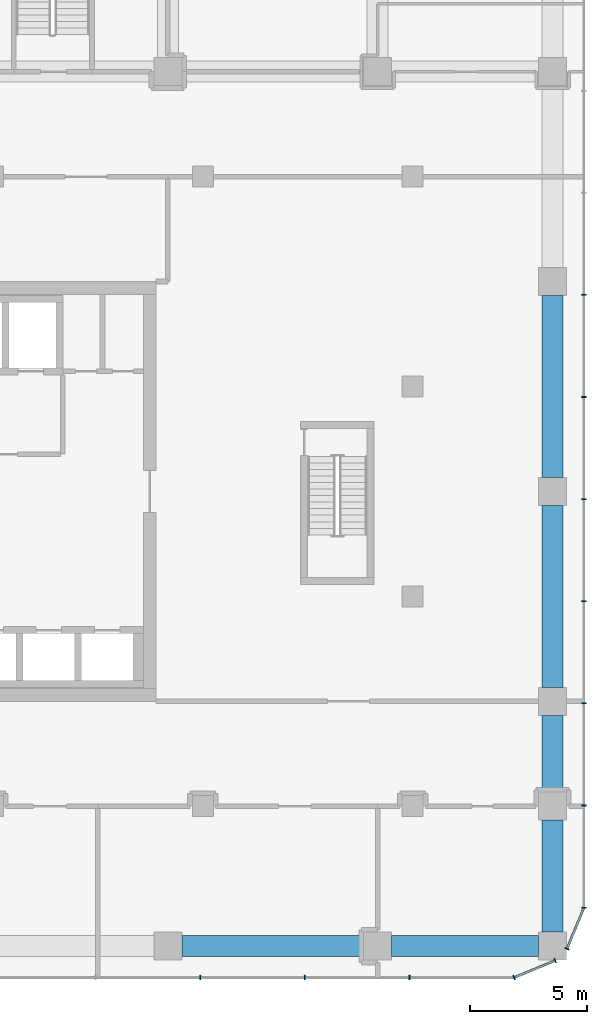
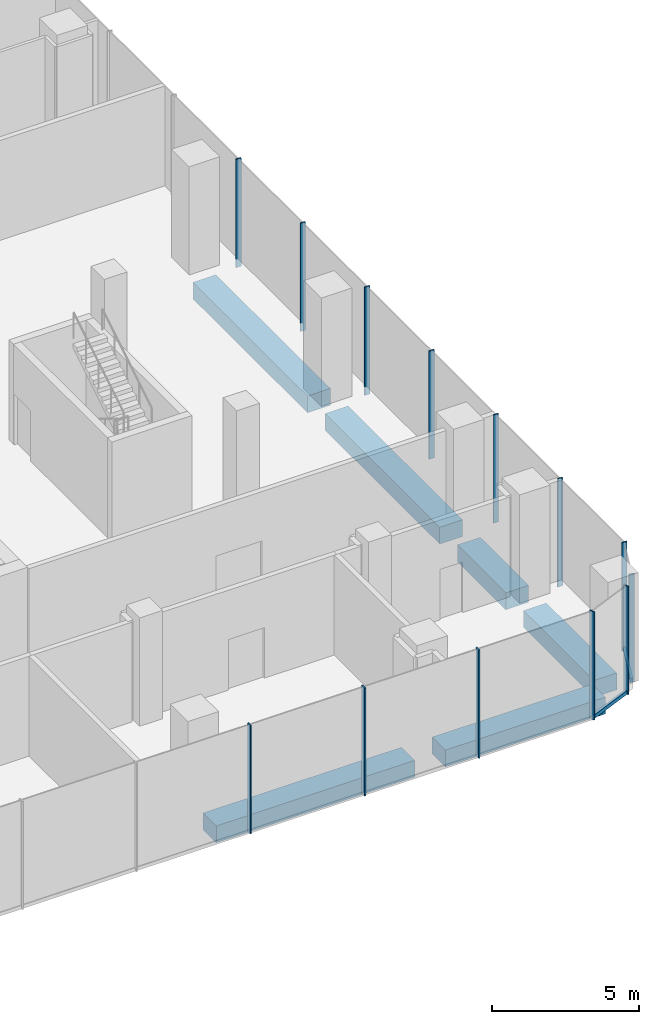
# One storey, part 16 of 43: 15 members, 6 beams, 4 elements without a shape of their own.
"""IFC4 building model written with IfcOpenShell, lengths in metres."""

from ifc_helpers import new_model, si_unit, direction, frame, origin, origin_2d, place, context, subcontext, project, spatial, rectangle, extrude, material, layer, layer_set, material_profile, profile_set, type_object, element, aggregate, save


model = new_model("IFC4")

# Units and contexts
model_context = context("Model", 3, precision=1e-05, world=origin(), true_north=direction((0.0, 1.0)))
body_context = subcontext(model_context, "Body", "Model", "MODEL_VIEW")
ifc_project = project(units=[si_unit("LENGTHUNIT", "METRE"), si_unit("AREAUNIT", "SQUARE_METRE"), si_unit("VOLUMEUNIT", "CUBIC_METRE"), si_unit("PLANEANGLEUNIT", "RADIAN"), si_unit("MASSUNIT", "GRAM", prefix="KILO")], contexts=[model_context])

# Site, building, storey
site_placement = place(None, origin())
site = spatial("IfcSite", under=ifc_project, at=site_placement, CompositionType="ELEMENT")
building_placement = place(site_placement, origin())
building = spatial("IfcBuilding", under=site, at=building_placement, Name="Plateau Cross Towers", CompositionType="ELEMENT")
storey_placement = place(building_placement, frame((0.0, 0.0, 17.300048828125)))
storey = spatial("IfcBuildingStorey", under=building, at=storey_placement, Name="L03", CompositionType="ELEMENT", Elevation=17.300048828125)

# Curtain wall, members
ifc_material_1 = material(Name="Dark low-iron laminated glass", Category="glass")
ifc_layer = layer(ifc_material_1, 0.300048828125)
ifc_layer_set = layer_set([ifc_layer], Name="Dark low-iron laminated glass")
curtain_wall_type = type_object("IfcCurtainWallType", Name="Curtain wall structural silicone CW-C", PredefinedType="NOTDEFINED", material=ifc_layer_set)
curtain_wall_1_placement = place(storey_placement, origin())
curtain_wall_1 = element("IfcCurtainWall", 1, at=curtain_wall_1_placement, inside=storey, type_object=curtain_wall_type, Name="ENV/P/L03/P-28_-118", PredefinedType="NOTDEFINED")
ifc_material_2 = material(Name="Black anodised aluminium", Category="aluminium")
ifc_material_profile_1 = material_profile(ifc_material_2, rectangle(XDim=0.050048828125, YDim=0.199951171875, at=origin_2d()), Name="MULLION 50x200")
ifc_profile_set_1 = profile_set([ifc_material_profile_1], Name="Black anodised aluminium")
member_type_1 = type_object("IfcMemberType", Name="Mullion 50x200 structural silicone", PredefinedType="MULLION", material=ifc_profile_set_1)
member_1_placement = place(storey_placement, frame((91.387451171875, -11.85009765625, -0.35009765625), z_axis=(0.0, 0.0, 1.0), x_axis=(1.0, 0.0, 0.0)))
member_1 = element("IfcMember", 2, at=member_1_placement, type_object=member_type_1, Name="CW-C mullion 22", PredefinedType="MULLION", context=body_context, shape_type="SweptSolid", body=[
    extrude(rectangle(XDim=0.050048828125, YDim=0.199951171875, at=origin_2d()), origin(), (0.0, 0.0, 1.0), 4.5),
])
member_2_placement = place(storey_placement, frame((95.875, -11.85009765625, -0.35009765625), z_axis=(0.0, 0.0, 1.0), x_axis=(1.0, 0.0, 0.0)))
member_2 = element("IfcMember", 3, at=member_2_placement, type_object=member_type_1, Name="CW-C mullion 23", PredefinedType="MULLION", context=body_context, shape_type="SweptSolid", body=[
    extrude(rectangle(XDim=0.050048828125, YDim=0.199951171875, at=origin_2d()), origin(), (0.0, 0.0, 1.0), 4.5),
])
member_3_placement = place(storey_placement, frame((100.362548828125, -11.85009765625, -0.35009765625), z_axis=(0.0, 0.0, 1.0), x_axis=(1.0, 0.0, 0.0)))
member_3 = element("IfcMember", 4, at=member_3_placement, type_object=member_type_1, Name="CW-C mullion 24", PredefinedType="MULLION", context=body_context, shape_type="SweptSolid", body=[
    extrude(rectangle(XDim=0.050048828125, YDim=0.199951171875, at=origin_2d()), origin(), (0.0, 0.0, 1.0), 4.5),
])
aggregate(curtain_wall_1, [member_1, member_2, member_3])

curtain_wall_2_placement = place(storey_placement, origin())
curtain_wall_2 = element("IfcCurtainWall", 5, at=curtain_wall_2_placement, inside=storey, type_object=curtain_wall_type, Name="ENV/P/L03/P1048_-118", PredefinedType="NOTDEFINED")
member_4_placement = place(storey_placement, frame((104.85009765625, -11.85009765625, -0.35009765625), z_axis=(0.0, 0.0, 1.0), x_axis=(0.923879457699, 0.382683612978, 0.0)))
member_4 = element("IfcMember", 6, at=member_4_placement, type_object=member_type_1, Name="CW-C mullion 1", PredefinedType="MULLION", context=body_context, shape_type="SweptSolid", body=[
    extrude(rectangle(XDim=0.050048828125, YDim=0.199951171875, at=origin_2d()), origin(), (0.0, 0.0, 1.0), 4.5),
])
member_5_placement = place(storey_placement, frame((106.6123046875, -11.1201171875, -0.35009765625), z_axis=(0.0, 0.0, 1.0), x_axis=(0.923879457699, 0.382683612978, 0.0)))
member_5 = element("IfcMember", 7, at=member_5_placement, type_object=member_type_1, Name="CW-C mullion 2", PredefinedType="MULLION", context=body_context, shape_type="SweptSolid", body=[
    extrude(rectangle(XDim=0.050048828125, YDim=0.199951171875, at=origin_2d()), origin(), (0.0, 0.0, 1.0), 4.5),
])

# Curtain wall, member
curtain_wall_3_placement = place(storey_placement, origin())
curtain_wall_3 = element("IfcCurtainWall", 8, at=curtain_wall_3_placement, inside=storey, type_object=curtain_wall_type, Name="ENV/P/L03/P1071_-106", PredefinedType="NOTDEFINED")
member_6_placement = place(storey_placement, frame((107.1201171875, -10.6123046875, -0.35009765625), z_axis=(0.0, 0.0, 1.0), x_axis=(0.382683612978, 0.923879457699, 0.0)))
member_6 = element("IfcMember", 9, at=member_6_placement, type_object=member_type_1, Name="CW-C mullion 1", PredefinedType="MULLION", context=body_context, shape_type="SweptSolid", body=[
    extrude(rectangle(XDim=0.050048828125, YDim=0.199951171875, at=origin_2d()), origin(), (0.0, 0.0, 1.0), 4.5),
])

# Curtain wall, members
curtain_wall_4_placement = place(storey_placement, origin())
curtain_wall_4 = element("IfcCurtainWall", 10, at=curtain_wall_4_placement, inside=storey, type_object=curtain_wall_type, Name="ENV/P/L03/P1078_-88", PredefinedType="NOTDEFINED")
member_7_placement = place(storey_placement, frame((107.85009765625, -8.85009765625, -0.35009765625), z_axis=(0.0, 0.0, 1.0), x_axis=(0.0, 1.0, 0.0)))
member_7 = element("IfcMember", 11, at=member_7_placement, type_object=member_type_1, Name="CW-C mullion 1", PredefinedType="MULLION", context=body_context, shape_type="SweptSolid", body=[
    extrude(rectangle(XDim=0.050048828125, YDim=0.199951171875, at=origin_2d()), origin(), (0.0, 0.0, 1.0), 4.5),
])
member_8_placement = place(storey_placement, frame((107.85009765625, -4.469970703125, -0.35009765625), z_axis=(0.0, 0.0, 1.0), x_axis=(0.0, 1.0, 0.0)))
member_8 = element("IfcMember", 12, at=member_8_placement, type_object=member_type_1, Name="CW-C mullion 2", PredefinedType="MULLION", context=body_context, shape_type="SweptSolid", body=[
    extrude(rectangle(XDim=0.050048828125, YDim=0.199951171875, at=origin_2d()), origin(), (0.0, 0.0, 1.0), 4.5),
])
member_9_placement = place(storey_placement, frame((107.85009765625, -0.090087890625, -0.35009765625), z_axis=(0.0, 0.0, 1.0), x_axis=(0.0, 1.0, 0.0)))
member_9 = element("IfcMember", 13, at=member_9_placement, type_object=member_type_1, Name="CW-C mullion 3", PredefinedType="MULLION", context=body_context, shape_type="SweptSolid", body=[
    extrude(rectangle(XDim=0.050048828125, YDim=0.199951171875, at=origin_2d()), origin(), (0.0, 0.0, 1.0), 4.5),
])
member_10_placement = place(storey_placement, frame((107.85009765625, 4.2900390625, -0.35009765625), z_axis=(0.0, 0.0, 1.0), x_axis=(0.0, 1.0, 0.0)))
member_10 = element("IfcMember", 14, at=member_10_placement, type_object=member_type_1, Name="CW-C mullion 4", PredefinedType="MULLION", context=body_context, shape_type="SweptSolid", body=[
    extrude(rectangle(XDim=0.050048828125, YDim=0.199951171875, at=origin_2d()), origin(), (0.0, 0.0, 1.0), 4.5),
])
member_11_placement = place(storey_placement, frame((107.85009765625, 8.669921875, -0.35009765625), z_axis=(0.0, 0.0, 1.0), x_axis=(0.0, 1.0, 0.0)))
member_11 = element("IfcMember", 15, at=member_11_placement, type_object=member_type_1, Name="CW-C mullion 5", PredefinedType="MULLION", context=body_context, shape_type="SweptSolid", body=[
    extrude(rectangle(XDim=0.050048828125, YDim=0.199951171875, at=origin_2d()), origin(), (0.0, 0.0, 1.0), 4.5),
])
member_12_placement = place(storey_placement, frame((107.85009765625, 13.050048828125, -0.35009765625), z_axis=(0.0, 0.0, 1.0), x_axis=(0.0, 1.0, 0.0)))
member_12 = element("IfcMember", 16, at=member_12_placement, type_object=member_type_1, Name="CW-C mullion 6", PredefinedType="MULLION", context=body_context, shape_type="SweptSolid", body=[
    extrude(rectangle(XDim=0.050048828125, YDim=0.199951171875, at=origin_2d()), origin(), (0.0, 0.0, 1.0), 4.5),
])
member_13_placement = place(storey_placement, frame((107.85009765625, 17.429931640625, -0.35009765625), z_axis=(0.0, 0.0, 1.0), x_axis=(0.0, 1.0, 0.0)))
member_13 = element("IfcMember", 17, at=member_13_placement, type_object=member_type_1, Name="CW-C mullion 7", PredefinedType="MULLION", context=body_context, shape_type="SweptSolid", body=[
    extrude(rectangle(XDim=0.050048828125, YDim=0.199951171875, at=origin_2d()), origin(), (0.0, 0.0, 1.0), 4.5),
])
aggregate(curtain_wall_4, [member_7, member_8, member_9, member_10, member_11, member_12, member_13])

# Beams
ifc_material_3 = material(Name="Concrete C50/60", Category="concrete")
ifc_material_profile_2 = material_profile(ifc_material_3, rectangle(XDim=0.89990234375, YDim=0.699951171875, at=origin_2d()), Name="RC 900x700")
ifc_profile_set_2 = profile_set([ifc_material_profile_2], Name="Concrete C50/60")
beam_type = type_object("IfcBeamType", Name="Podium band beam RC 900x700", PredefinedType="BEAM", material=ifc_profile_set_2)
beam_1_placement = place(storey_placement, frame((90.60009765625, -10.5, -0.699951171875), z_axis=(1.0, 0.0, 0.0), x_axis=(0.0, 1.0, 0.0)))
element("IfcBeam", 18, at=beam_1_placement, inside=storey, type_object=beam_type, Name="PB12@L03", PredefinedType="BEAM", context=body_context, shape_type="SweptSolid", body=[
    extrude(rectangle(XDim=0.89990234375, YDim=0.699951171875, at=origin_2d()), origin(), (0.0, 0.0, 1.0), 7.7998046875),
])
beam_2_placement = place(storey_placement, frame((99.60009765625, -10.5, -0.699951171875), z_axis=(1.0, 0.0, 0.0), x_axis=(0.0, 1.0, 0.0)))
element("IfcBeam", 19, at=beam_2_placement, inside=storey, type_object=beam_type, Name="PB13@L03", PredefinedType="BEAM", context=body_context, shape_type="SweptSolid", body=[
    extrude(rectangle(XDim=0.89990234375, YDim=0.699951171875, at=origin_2d()), origin(), (0.0, 0.0, 1.0), 6.2998046875),
])
beam_3_placement = place(storey_placement, frame((106.5, -9.89990234375, -0.699951171875), z_axis=(0.0, 1.0, 0.0), x_axis=(-1.0, 0.0, 0.0)))
element("IfcBeam", 20, at=beam_3_placement, inside=storey, type_object=beam_type, Name="PB173@L03", PredefinedType="BEAM", context=body_context, shape_type="SweptSolid", body=[
    extrude(rectangle(XDim=0.89990234375, YDim=0.699951171875, at=origin_2d()), origin(), (0.0, 0.0, 1.0), 4.7998046875),
])
beam_4_placement = place(storey_placement, frame((106.5, -3.89990234375, -0.699951171875), z_axis=(0.0, 1.0, 0.0), x_axis=(-1.0, 0.0, 0.0)))
element("IfcBeam", 21, at=beam_4_placement, inside=storey, type_object=beam_type, Name="PB174@L03", PredefinedType="BEAM", context=body_context, shape_type="SweptSolid", body=[
    extrude(rectangle(XDim=0.89990234375, YDim=0.699951171875, at=origin_2d()), origin(), (0.0, 0.0, 1.0), 3.2998046875),
])
for number, where, z_axis, x_axis, name in (
    (22, (106.5, 0.60009765625, -0.699951171875), (0.0, 1.0, 0.0), (-1.0, 0.0, 0.0), "PB175@L03"),
    (23, (106.5, 9.60009765625, -0.699951171875), (0.0, 1.0, 0.0), (-1.0, 0.0, 0.0), "PB176@L03"),
):
    element("IfcBeam", number, at=place(storey_placement, frame(where, z_axis=z_axis, x_axis=x_axis)), inside=storey, type_object=beam_type, Name=name, PredefinedType="BEAM", context=body_context, shape_type="SweptSolid", body=[
        extrude(rectangle(XDim=0.89990234375, YDim=0.699951171875, at=origin_2d()), origin(), (0.0, 0.0, 1.0), 7.7998046875),
    ])

# Member
ifc_material_profile_3 = material_profile(ifc_material_2, rectangle(XDim=0.10009765625, YDim=0.14990234375, at=origin_2d()), Name="TRANSOM 100x150")
ifc_profile_set_3 = profile_set([ifc_material_profile_3], Name="Black anodised aluminium")
member_type_2 = type_object("IfcMemberType", Name="Transom 100x150 structural silicone", PredefinedType="USERDEFINED", material=ifc_profile_set_3)
member_14_placement = place(storey_placement, frame((104.85009765625, -11.85009765625, -0.275146484375), z_axis=(0.923870187147, 0.38270599329, 0.0), x_axis=(-0.38270599329, 0.923870187147, 0.0)))
member_14 = element("IfcMember", 24, at=member_14_placement, type_object=member_type_2, Name="CW-C transom", ObjectType="TRANSOM", PredefinedType="USERDEFINED", context=body_context, shape_type="SweptSolid", body=[
    extrude(rectangle(XDim=0.10009765625, YDim=0.14990234375, at=origin_2d()), origin(), (0.0, 0.0, 1.0), 1.907470703125),
])

aggregate(curtain_wall_2, [member_4, member_5, member_14])

member_15_placement = place(storey_placement, frame((107.1201171875, -10.6123046875, -0.275146484375), z_axis=(0.38270599329, 0.923870187147, 0.0), x_axis=(-0.923870187147, 0.38270599329, 0.0)))
member_15 = element("IfcMember", 25, at=member_15_placement, type_object=member_type_2, Name="CW-C transom", ObjectType="TRANSOM", PredefinedType="USERDEFINED", context=body_context, shape_type="SweptSolid", body=[
    extrude(rectangle(XDim=0.10009765625, YDim=0.14990234375, at=origin_2d()), origin(), (0.0, 0.0, 1.0), 1.907470703125),
])

aggregate(curtain_wall_3, [member_6, member_15])

save(model, "model.ifc")
